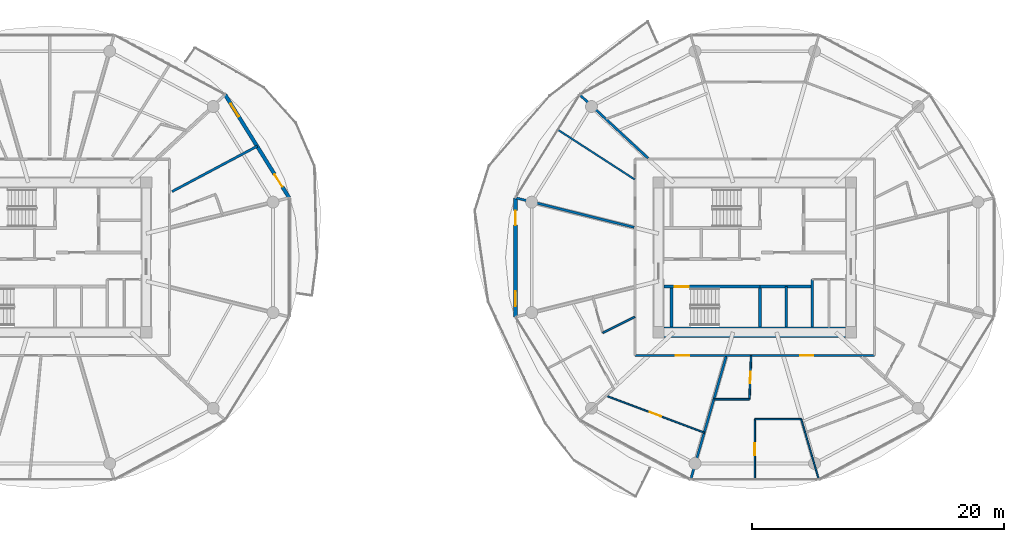
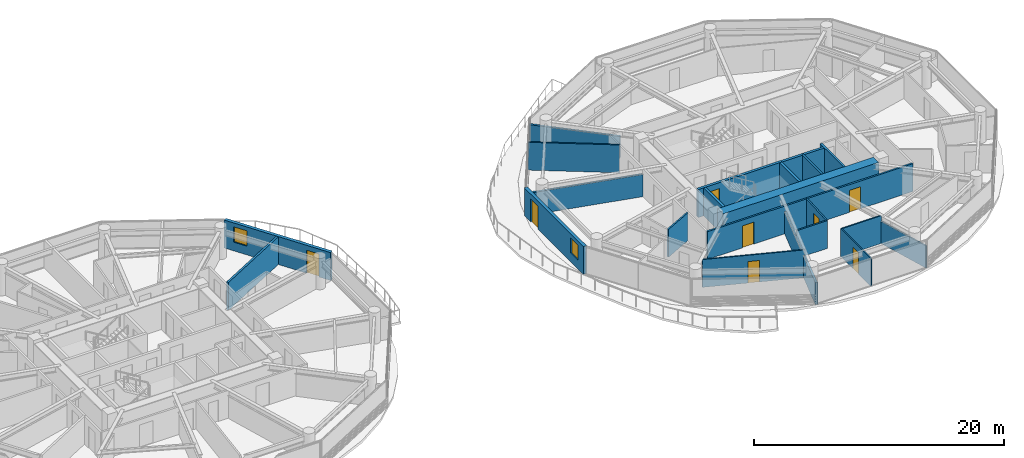
# One storey, part 18 of 26: 22 walls, 8 doors, 2 windows, 10 openings.
"""IFC4 building model written with IfcOpenShell, lengths in metres."""

from ifc_helpers import new_model, si_unit, direction, frame, frame_2d, origin, place, context, subcontext, project, spatial, rectangle, extrude, source, transform, mapped, material, layer, layer_set, type_object, type_shapes, element, fill, save


model = new_model("IFC4")

# Units and contexts
model_context = context("Model", 3, precision=1e-05, world=origin(), true_north=direction((0.0, 1.0)))
body_context = subcontext(model_context, "Body", "Model", "MODEL_VIEW")
ifc_project = project(units=[si_unit("LENGTHUNIT", "METRE"), si_unit("AREAUNIT", "SQUARE_METRE"), si_unit("VOLUMEUNIT", "CUBIC_METRE"), si_unit("PLANEANGLEUNIT", "RADIAN"), si_unit("MASSUNIT", "GRAM", prefix="KILO")], contexts=[model_context])

# Site, building, storey
site_placement = place(None, origin())
site = spatial("IfcSite", under=ifc_project, at=site_placement, CompositionType="ELEMENT")
building_placement = place(site_placement, origin())
building = spatial("IfcBuilding", under=site, at=building_placement, Name="Norrkilde Senior Care Towers", CompositionType="ELEMENT")
storey_placement = place(building_placement, frame((0.0, 0.0, 70.39990234375)))
storey = spatial("IfcBuildingStorey", under=building, at=storey_placement, Name="L21", CompositionType="ELEMENT", Elevation=70.39990234375)

# Wall
ifc_material_1 = material(Name="Concrete C60/75", Category="concrete")
ifc_layer_1 = layer(ifc_material_1, 0.85009765625)
ifc_layer_set_1 = layer_set([ifc_layer_1], Name="Concrete C60/75")
wall_type_1 = type_object("IfcWallType", Name="Core Shear Wall Z1 850", PredefinedType="SHEAR", material=ifc_layer_set_1)
shared_shape_1 = source(origin(), body_context, "Body", "SweptSolid", [
    extrude(rectangle(XDim=14.39990234375, YDim=0.85009765625, at=frame_2d((7.199951171875, 0.0))), origin(), (0.0, 0.0, 1.0), 2.72998046875),
])
type_shapes(wall_type_1, [shared_shape_1])
wall_1_placement = place(storey_placement, frame((35.199951171875, -5.949951171875, 0.0), z_axis=(0.0, 0.0, 1.0), x_axis=(-1.0, 0.0, 0.0)))
element("IfcWall", 1, at=wall_1_placement, inside=storey, type_object=wall_type_1, Name="L21 Core E South Shear Wall", PredefinedType="SHEAR", context=body_context, shape_type="MappedRepresentation", body=[
    mapped(shared_shape_1, transform((0.0, 0.0, 0.0), x_axis=(1.0, 0.0, 0.0), y_axis=(0.0, 1.0, 0.0), z_axis=(0.0, 0.0, 1.0), scale=1.0)),
])

# Wall, openings, door, window
ifc_material_2 = material(Name="Precast concrete C45/55", Category="concrete")
ifc_layer_2 = layer(ifc_material_2, 0.2900390625)
ifc_layer_set_2 = layer_set([ifc_layer_2], Name="Precast concrete C45/55")
wall_type_2 = type_object("IfcWallType", Name="Winter Garden Facade Wall 290", PredefinedType="SOLIDWALL", material=ifc_layer_set_2)
shared_shape_2 = source(origin(), body_context, "Body", "SweptSolid", [
    extrude(rectangle(XDim=9.64892578125, YDim=0.2900390625, at=frame_2d((4.824462890625, 0.0))), origin(), (0.0, 0.0, 1.0), 2.72998046875),
])
wall_2_placement = place(storey_placement, frame((-14.084228515625, 12.926025390625, 0.0), z_axis=(0.0, 0.0, 1.0), x_axis=(0.527909458386, -0.849300655684, 0.0)))
wall_2 = element("IfcWall", 2, at=wall_2_placement, inside=storey, type_object=wall_type_2, Name="L21 Drum W Balcony Access Wall 00", PredefinedType="SOLIDWALL", context=body_context, shape_type="MappedRepresentation", body=[
    mapped(shared_shape_2, transform((0.0, 0.0, 0.0), x_axis=(1.0, 0.0, 0.0), y_axis=(0.0, 1.0, 0.0), z_axis=(0.0, 0.0, 1.0), scale=1.0)),
])
opening_1_placement = place(wall_2_placement, frame((7.4599609375, 0.0, 0.0)))
opening_1 = element("IfcOpeningElement", 3, at=opening_1_placement, cuts=wall_2, Name="Opening D-09", PredefinedType="OPENING", context=body_context, shape_type="SweptSolid", body=[
    extrude(rectangle(XDim=1.14990234375, YDim=2.25, at=frame_2d((0.574951171875, 1.125))), frame((0.0, 0.155029296875, 0.0), z_axis=(0.0, -1.0, 0.0), x_axis=(1.0, 0.0, 0.0)), (0.0, 0.0, 1.0), 0.31005859375),
])
opening_2_placement = place(wall_2_placement, frame((0.85009765625, 0.0, 0.85009765625)))
opening_2 = element("IfcOpeningElement", 4, at=opening_2_placement, cuts=wall_2, Name="Opening WN-07", PredefinedType="OPENING", context=body_context, shape_type="SweptSolid", body=[
    extrude(rectangle(XDim=1.199951171875, YDim=1.5, at=frame_2d((0.60009765625, 0.75))), frame((0.0, 0.155029296875, 0.0), z_axis=(0.0, -1.0, 0.0), x_axis=(1.0, 0.0, 0.0)), (0.0, 0.0, 1.0), 0.31005859375),
])
ifc_material_3 = material(Name="Anodised Aluminium", Category="aluminium")
door_type_1 = type_object("IfcDoorType", Name="Terrace and Balcony Glazed Door 1150x2250", OperationType="NOTDEFINED", PredefinedType="DOOR", material=ifc_material_3)
shared_shape_3 = source(origin(), body_context, "Body", "SweptSolid", [
    extrude(rectangle(XDim=1.14990234375, YDim=2.25, at=frame_2d((0.574951171875, 1.125))), frame((0.0, 0.02490234375, 0.0), z_axis=(0.0, -1.0, 0.0), x_axis=(1.0, 0.0, 0.0)), (0.0, 0.0, 1.0), 0.050048828125),
])
type_shapes(door_type_1, [shared_shape_3])
door_1_placement = place(opening_1_placement, origin())
door_1 = element("IfcDoor", 5, at=door_1_placement, inside=storey, type_object=door_type_1, Name="L21 Drum W Outdoor Terrace Door 00", OperationType="SINGLE_SWING_LEFT", OverallHeight=2.25, OverallWidth=1.14990234375, PredefinedType="DOOR", context=body_context, shape_type="MappedRepresentation", body=[
    mapped(shared_shape_3, transform((0.0, 0.0, 0.0), x_axis=(1.0, 0.0, 0.0), y_axis=(0.0, 1.0, 0.0), z_axis=(0.0, 0.0, 1.0), scale=1.0)),
])
fill(opening_1, door_1)
ifc_material_4 = material(Name="Triple Low-E Insulated Glazing", Category="glass")
window_type = type_object("IfcWindowType", Name="Stairwell Smoke Vent Window 1200x1500", PartitioningType="SINGLE_PANEL", PredefinedType="WINDOW", material=ifc_material_4)
shared_shape_4 = source(origin(), body_context, "Body", "SweptSolid", [
    extrude(rectangle(XDim=1.199951171875, YDim=1.5, at=frame_2d((0.60009765625, 0.75))), frame((0.0, 0.030029296875, 0.0), z_axis=(0.0, -1.0, 0.0), x_axis=(1.0, 0.0, 0.0)), (0.0, 0.0, 1.0), 0.06005859375),
])
type_shapes(window_type, [shared_shape_4])
window_1_placement = place(opening_2_placement, origin())
window_1 = element("IfcWindow", 6, at=window_1_placement, inside=storey, type_object=window_type, Name="L21 Drum W Winter Garden Window 00", OverallHeight=1.5, OverallWidth=1.199951171875, PartitioningType="SINGLE_PANEL", PredefinedType="WINDOW", context=body_context, shape_type="MappedRepresentation", body=[
    mapped(shared_shape_4, transform((0.0, 0.0, 0.0), x_axis=(1.0, 0.0, 0.0), y_axis=(0.0, 1.0, 0.0), z_axis=(0.0, 0.0, 1.0), scale=1.0)),
])
fill(opening_2, window_1)

shared_shape_5 = source(origin(), body_context, "Body", "SweptSolid", [
    extrude(rectangle(XDim=9.46240234375, YDim=0.2900390625, at=frame_2d((4.731201171875, 0.0))), origin(), (0.0, 0.0, 1.0), 2.72998046875),
])
type_shapes(wall_type_2, [shared_shape_2, shared_shape_5])
wall_3_placement = place(storey_placement, frame((8.990478515625, -4.731201171875, 0.0), z_axis=(0.0, 0.0, 1.0), x_axis=(0.0, 1.0, 0.0)))
wall_3 = element("IfcWall", 7, at=wall_3_placement, inside=storey, type_object=wall_type_2, Name="L21 Drum E Balcony Access Wall 05", PredefinedType="SOLIDWALL", context=body_context, shape_type="MappedRepresentation", body=[
    mapped(shared_shape_5, transform((0.0, 0.0, 0.0), x_axis=(1.0, 0.0, 0.0), y_axis=(0.0, 1.0, 0.0), z_axis=(0.0, 0.0, 1.0), scale=1.0)),
])
opening_3_placement = place(wall_3_placement, frame((7.300048828125, 0.0, 0.0)))
opening_3 = element("IfcOpeningElement", 8, at=opening_3_placement, cuts=wall_3, Name="Opening D-09", PredefinedType="OPENING", context=body_context, shape_type="SweptSolid", body=[
    extrude(rectangle(XDim=1.14990234375, YDim=2.25, at=frame_2d((0.574951171875, 1.125))), frame((0.0, 0.155029296875, 0.0), z_axis=(0.0, -1.0, 0.0), x_axis=(1.0, 0.0, 0.0)), (0.0, 0.0, 1.0), 0.31005859375),
])
opening_4_placement = place(wall_3_placement, frame((0.85009765625, 0.0, 0.85009765625)))
opening_4 = element("IfcOpeningElement", 9, at=opening_4_placement, cuts=wall_3, Name="Opening WN-07", PredefinedType="OPENING", context=body_context, shape_type="SweptSolid", body=[
    extrude(rectangle(XDim=1.199951171875, YDim=1.5, at=frame_2d((0.60009765625, 0.75))), frame((0.0, 0.155029296875, 0.0), z_axis=(0.0, -1.0, 0.0), x_axis=(1.0, 0.0, 0.0)), (0.0, 0.0, 1.0), 0.31005859375),
])
door_2_placement = place(opening_3_placement, origin())
door_2 = element("IfcDoor", 10, at=door_2_placement, inside=storey, type_object=door_type_1, Name="L21 Drum E Outdoor Terrace Door 05", OperationType="SINGLE_SWING_RIGHT", OverallHeight=2.25, OverallWidth=1.14990234375, PredefinedType="DOOR", context=body_context, shape_type="MappedRepresentation", body=[
    mapped(shared_shape_3, transform((0.0, 0.0, 0.0), x_axis=(1.0, 0.0, 0.0), y_axis=(0.0, 1.0, 0.0), z_axis=(0.0, 0.0, 1.0), scale=1.0)),
])
fill(opening_3, door_2)
window_2_placement = place(opening_4_placement, origin())
window_2 = element("IfcWindow", 11, at=window_2_placement, inside=storey, type_object=window_type, Name="L21 Drum E Winter Garden Window 05", OverallHeight=1.5, OverallWidth=1.199951171875, PartitioningType="SINGLE_PANEL", PredefinedType="WINDOW", context=body_context, shape_type="MappedRepresentation", body=[
    mapped(shared_shape_4, transform((0.0, 0.0, 0.0), x_axis=(1.0, 0.0, 0.0), y_axis=(0.0, 1.0, 0.0), z_axis=(0.0, 0.0, 1.0), scale=1.0)),
])
fill(opening_4, window_2)

# Wall, opening, door
ifc_material_5 = material(Name="Concrete C45/55", Category="concrete")
ifc_layer_3 = layer(ifc_material_5, 0.239990234375)
ifc_layer_set_3 = layer_set([ifc_layer_3], Name="Concrete C45/55")
wall_type_3 = type_object("IfcWallType", Name="Shaft and Stair Enclosure Wall 240", PredefinedType="PARTITIONING", material=ifc_layer_set_3)
shared_shape_6 = source(origin(), body_context, "Body", "SweptSolid", [
    extrude(rectangle(XDim=7.76513671875, YDim=0.239990234375, at=frame_2d((3.882568359375, 0.0))), origin(), (0.0, 0.0, 1.0), 2.72998046875),
])
wall_4_placement = place(storey_placement, frame((20.77490234375, -2.330078125, 0.0), z_axis=(0.0, 0.0, 1.0), x_axis=(1.0, 0.0, 0.0)))
wall_4 = element("IfcWall", 12, at=wall_4_placement, inside=storey, type_object=wall_type_3, Name="WL-INT-L21-E-ST2N", PredefinedType="PARTITIONING", context=body_context, shape_type="MappedRepresentation", body=[
    mapped(shared_shape_6, transform((0.0, 0.0, 0.0), x_axis=(1.0, 0.0, 0.0), y_axis=(0.0, 1.0, 0.0), z_axis=(0.0, 0.0, 1.0), scale=1.0)),
])
opening_5_placement = place(wall_4_placement, frame((0.885009765625, 0.0, 0.0)))
opening_5 = element("IfcOpeningElement", 13, at=opening_5_placement, cuts=wall_4, Name="Opening D-03", PredefinedType="OPENING", context=body_context, shape_type="SweptSolid", body=[
    extrude(rectangle(XDim=1.10009765625, YDim=2.14990234375, at=frame_2d((0.550048828125, 1.074951171875))), frame((0.0, 0.1298828125, 0.0), z_axis=(0.0, -1.0, 0.0), x_axis=(1.0, 0.0, 0.0)), (0.0, 0.0, 1.0), 0.260009765625),
])
ifc_material_6 = material(Name="Galvanised Painted Steel", Category="steel")
door_type_2 = type_object("IfcDoorType", Name="Stairwell Protected Fire Door 1100x2150", OperationType="NOTDEFINED", PredefinedType="DOOR", material=ifc_material_6)
shared_shape_7 = source(origin(), body_context, "Body", "SweptSolid", [
    extrude(rectangle(XDim=1.10009765625, YDim=2.14990234375, at=frame_2d((0.550048828125, 1.074951171875))), frame((0.0, 0.02490234375, 0.0), z_axis=(0.0, -1.0, 0.0), x_axis=(1.0, 0.0, 0.0)), (0.0, 0.0, 1.0), 0.050048828125),
])
type_shapes(door_type_2, [shared_shape_7])
door_3_placement = place(opening_5_placement, frame((1.10009765625, 0.0, 0.0), z_axis=(0.0, 0.0, 1.0), x_axis=(-1.0, 0.0, 0.0)))
door_3 = element("IfcDoor", 14, at=door_3_placement, inside=storey, type_object=door_type_2, Name="L21 Stair E2 Fire Door", OperationType="SINGLE_SWING_RIGHT", OverallHeight=2.14990234375, OverallWidth=1.10009765625, PredefinedType="DOOR", context=body_context, shape_type="MappedRepresentation", body=[
    mapped(shared_shape_7, transform((0.0, 0.0, 0.0), x_axis=(1.0, 0.0, 0.0), y_axis=(0.0, 1.0, 0.0), z_axis=(0.0, 0.0, 1.0), scale=1.0)),
])
fill(opening_5, door_3)

# Walls
shared_shape_8 = source(origin(), body_context, "Body", "SweptSolid", [
    extrude(rectangle(XDim=3.074951171875, YDim=0.239990234375, at=frame_2d((1.53759765625, 0.0))), origin(), (0.0, 0.0, 1.0), 2.72998046875),
])
type_shapes(wall_type_3, [shared_shape_6, shared_shape_8])
for number, where, z_axis, x_axis, name in (
    (15, (21.3798828125, -5.52490234375, 0.0), (0.0, 0.0, 1.0), (0.0, 1.0, 0.0), "WL-INT-L21-E-ST2W"),
    (16, (28.419921875, -5.52490234375, 0.0), (0.0, 0.0, 1.0), (0.0, 1.0, 0.0), "WL-INT-L21-E-ST2E"),
):
    element("IfcWall", number, at=place(storey_placement, frame(where, z_axis=z_axis, x_axis=x_axis)), inside=storey, type_object=wall_type_3, Name=name, PredefinedType="PARTITIONING", context=body_context, shape_type="MappedRepresentation", body=[
        mapped(shared_shape_8, transform((0.0, 0.0, 0.0), x_axis=(1.0, 0.0, 0.0), y_axis=(0.0, 1.0, 0.0), z_axis=(0.0, 0.0, 1.0), scale=1.0)),
    ])
ifc_layer_4 = layer(ifc_material_5, 0.199951171875)
ifc_layer_set_4 = layer_set([ifc_layer_4], Name="Concrete C45/55")
wall_type_4 = type_object("IfcWallType", Name="Shaft Division and Plant Partition 200", PredefinedType="PARTITIONING", material=ifc_layer_set_4)
shared_shape_9 = source(origin(), body_context, "Body", "SweptSolid", [
    extrude(rectangle(XDim=3.800048828125, YDim=0.199951171875, at=frame_2d((1.89990234375, 0.0))), origin(), (0.0, 0.0, 1.0), 2.715087890625),
])
type_shapes(wall_type_4, [shared_shape_9])
wall_5_placement = place(storey_placement, frame((32.550048828125, -5.550048828125, 0.0), z_axis=(0.0, 0.0, 1.0), x_axis=(0.0, 1.0, 0.0)))
element("IfcWall", 17, at=wall_5_placement, inside=storey, type_object=wall_type_4, Name="WL-INT-L21-E-PKBE", PredefinedType="PARTITIONING", context=body_context, shape_type="MappedRepresentation", body=[
    mapped(shared_shape_9, transform((0.0, 0.0, 0.0), x_axis=(1.0, 0.0, 0.0), y_axis=(0.0, 1.0, 0.0), z_axis=(0.0, 0.0, 1.0), scale=1.0)),
])
ifc_layer_5 = layer(ifc_material_5, 0.239990234375)
ifc_layer_set_5 = layer_set([ifc_layer_5], Name="Concrete C45/55")
wall_type_5 = type_object("IfcWallType", Name="Lift and Plant Rated Enclosure Partition 240", PredefinedType="PARTITIONING", material=ifc_layer_set_5)
shared_shape_10 = source(origin(), body_context, "Body", "SweptSolid", [
    extrude(rectangle(XDim=4.130126953125, YDim=0.239990234375, at=frame_2d((2.06494140625, 0.0))), origin(), (0.0, 0.0, 1.0), 2.715087890625),
])
type_shapes(wall_type_5, [shared_shape_10])
wall_6_placement = place(storey_placement, frame((28.419921875, -2.330078125, 0.0), z_axis=(0.0, 0.0, 1.0), x_axis=(1.0, 0.0, 0.0)))
element("IfcWall", 18, at=wall_6_placement, inside=storey, type_object=wall_type_5, Name="WL-INT-L21-E-PKBN", PredefinedType="PARTITIONING", context=body_context, shape_type="MappedRepresentation", body=[
    mapped(shared_shape_10, transform((0.0, 0.0, 0.0), x_axis=(1.0, 0.0, 0.0), y_axis=(0.0, 1.0, 0.0), z_axis=(0.0, 0.0, 1.0), scale=1.0)),
])
ifc_layer_6 = layer(ifc_material_5, 0.179931640625)
ifc_layer_set_6 = layer_set([ifc_layer_6], Name="Concrete C45/55")
wall_type_6 = type_object("IfcWallType", Name="Hoistway Division Rated Partition 180", PredefinedType="PARTITIONING", material=ifc_layer_set_6)
shared_shape_11 = source(origin(), body_context, "Body", "SweptSolid", [
    extrude(rectangle(XDim=3.219970703125, YDim=0.179931640625, at=frame_2d((1.60986328125, 0.0))), origin(), (0.0, 0.0, 1.0), 2.715087890625),
])
type_shapes(wall_type_6, [shared_shape_11])
wall_7_placement = place(storey_placement, frame((30.5, -5.550048828125, 0.0), z_axis=(0.0, 0.0, 1.0), x_axis=(0.0, 1.0, 0.0)))
element("IfcWall", 19, at=wall_7_placement, inside=storey, type_object=wall_type_6, Name="WL-INT-L21-E-PL34", PredefinedType="PARTITIONING", context=body_context, shape_type="MappedRepresentation", body=[
    mapped(shared_shape_11, transform((0.0, 0.0, 0.0), x_axis=(1.0, 0.0, 0.0), y_axis=(0.0, 1.0, 0.0), z_axis=(0.0, 0.0, 1.0), scale=1.0)),
])

# Wall, openings, doors
ifc_material_7 = material(Name="Gypsum Acoustic Board")
ifc_layer_7 = layer(ifc_material_7, 0.1650390625)
ifc_layer_set_7 = layer_set([ifc_layer_7], Name="Gypsum Acoustic Board")
wall_type_7 = type_object("IfcWallType", Name="Corridor Rated Partition 165", PredefinedType="PARTITIONING", material=ifc_layer_set_7)
shared_shape_12 = source(origin(), body_context, "Body", "SweptSolid", [
    extrude(rectangle(XDim=19.0, YDim=0.1650390625, at=frame_2d((9.5, 0.0))), origin(), (0.0, 0.0, 1.0), 2.715087890625),
])
type_shapes(wall_type_7, [shared_shape_12])
wall_8_placement = place(storey_placement, frame((37.5, -7.800048828125, 0.0), z_axis=(0.0, 0.0, 1.0), x_axis=(-1.0, 0.0, 0.0)))
wall_8 = element("IfcWall", 20, at=wall_8_placement, inside=storey, type_object=wall_type_7, Name="WL-INT-L21-E-CRW-S-0", PredefinedType="PARTITIONING", context=body_context, shape_type="MappedRepresentation", body=[
    mapped(shared_shape_12, transform((0.0, 0.0, 0.0), x_axis=(1.0, 0.0, 0.0), y_axis=(0.0, 1.0, 0.0), z_axis=(0.0, 0.0, 1.0), scale=1.0)),
])
opening_6_placement = place(wall_8_placement, frame((14.7197265625, 0.0, 0.0)))
opening_6 = element("IfcOpeningElement", 21, at=opening_6_placement, cuts=wall_8, Name="Opening D-06", PredefinedType="OPENING", context=body_context, shape_type="SweptSolid", body=[
    extrude(rectangle(XDim=1.050048828125, YDim=2.14990234375, at=frame_2d((0.52490234375, 1.074951171875))), frame((0.0, 0.092529296875, 0.0), z_axis=(0.0, -1.0, 0.0), x_axis=(1.0, 0.0, 0.0)), (0.0, 0.0, 1.0), 0.18505859375),
])
opening_7_placement = place(wall_8_placement, frame((4.8466796875, 0.0, 0.0)))
opening_7 = element("IfcOpeningElement", 22, at=opening_7_placement, cuts=wall_8, Name="Opening D-06", PredefinedType="OPENING", context=body_context, shape_type="SweptSolid", body=[
    extrude(rectangle(XDim=1.050048828125, YDim=2.14990234375, at=frame_2d((0.52490234375, 1.074951171875))), frame((0.0, 0.092529296875, 0.0), z_axis=(0.0, -1.0, 0.0), x_axis=(1.0, 0.0, 0.0)), (0.0, 0.0, 1.0), 0.18505859375),
])
ifc_material_8 = material(Name="Nordic Ash Timber", Category="wood")
door_type_3 = type_object("IfcDoorType", Name="Apartment Entrance Fire Door 1050x2150", OperationType="NOTDEFINED", PredefinedType="DOOR", material=ifc_material_8)
shared_shape_13 = source(origin(), body_context, "Body", "SweptSolid", [
    extrude(rectangle(XDim=1.050048828125, YDim=2.14990234375, at=frame_2d((0.52490234375, 1.074951171875))), frame((0.0, 0.02490234375, 0.0), z_axis=(0.0, -1.0, 0.0), x_axis=(1.0, 0.0, 0.0)), (0.0, 0.0, 1.0), 0.050048828125),
])
type_shapes(door_type_3, [shared_shape_13])
door_4_placement = place(opening_6_placement, frame((1.050048828125, 0.0, 0.0), z_axis=(0.0, 0.0, 1.0), x_axis=(-1.0, 0.0, 0.0)))
door_4 = element("IfcDoor", 23, at=door_4_placement, inside=storey, type_object=door_type_3, Name="Apartment 21A Entrance Door", OperationType="SINGLE_SWING_LEFT", OverallHeight=2.14990234375, OverallWidth=1.050048828125, PredefinedType="DOOR", context=body_context, shape_type="MappedRepresentation", body=[
    mapped(shared_shape_13, transform((0.0, 0.0, 0.0), x_axis=(1.0, 0.0, 0.0), y_axis=(0.0, 1.0, 0.0), z_axis=(0.0, 0.0, 1.0), scale=1.0)),
])
fill(opening_6, door_4)
door_5_placement = place(opening_7_placement, frame((1.050048828125, 0.0, 0.0), z_axis=(0.0, 0.0, 1.0), x_axis=(-1.0, 0.0, 0.0)))
door_5 = element("IfcDoor", 24, at=door_5_placement, inside=storey, type_object=door_type_3, Name="Apartment 21B Entrance Door", OperationType="SINGLE_SWING_LEFT", OverallHeight=2.14990234375, OverallWidth=1.050048828125, PredefinedType="DOOR", context=body_context, shape_type="MappedRepresentation", body=[
    mapped(shared_shape_13, transform((0.0, 0.0, 0.0), x_axis=(1.0, 0.0, 0.0), y_axis=(0.0, 1.0, 0.0), z_axis=(0.0, 0.0, 1.0), scale=1.0)),
])
fill(opening_7, door_5)

# Walls
ifc_layer_8 = layer(ifc_material_7, 0.18994140625)
ifc_layer_set_8 = layer_set([ifc_layer_8], Name="Gypsum Acoustic Board")
wall_type_8 = type_object("IfcWallType", Name="Unit Demising Acoustic Wall 190", PredefinedType="PARTITIONING", material=ifc_layer_set_8)
shared_shape_14 = source(origin(), body_context, "Body", "SweptSolid", [
    extrude(rectangle(XDim=9.737060546875, YDim=0.18994140625, at=frame_2d((4.86865234375, 0.0))), origin(), (0.0, 0.0, 1.0), 2.1650390625),
])
wall_9_placement = place(storey_placement, frame((18.419921875, 2.384521484375, 0.0), z_axis=(0.0, 0.0, 1.0), x_axis=(-0.970392716238, 0.241532557375, 0.0)))
element("IfcWall", 25, at=wall_9_placement, inside=storey, type_object=wall_type_8, Name="WL-INT-L21-E-DEM-05-0", PredefinedType="PARTITIONING", context=body_context, shape_type="MappedRepresentation", body=[
    mapped(shared_shape_14, transform((0.0, 0.0, 0.0), x_axis=(1.0, 0.0, 0.0), y_axis=(0.0, 1.0, 0.0), z_axis=(0.0, 0.0, 1.0), scale=1.0)),
])
shared_shape_15 = source(origin(), body_context, "Body", "SweptSolid", [
    extrude(rectangle(XDim=7.4345703125, YDim=0.18994140625, at=frame_2d((3.71728515625, 0.0))), origin(), (0.0, 0.0, 1.0), 2.1650390625),
])
wall_10_placement = place(storey_placement, frame((19.51708984375, 7.8798828125, 0.0), z_axis=(0.0, 0.0, 1.0), x_axis=(-0.732651956848, 0.680603489652, 0.0)))
element("IfcWall", 26, at=wall_10_placement, inside=storey, type_object=wall_type_8, Name="WL-INT-L21-E-DEM-04-0", PredefinedType="PARTITIONING", context=body_context, shape_type="MappedRepresentation", body=[
    mapped(shared_shape_15, transform((0.0, 0.0, 0.0), x_axis=(1.0, 0.0, 0.0), y_axis=(0.0, 1.0, 0.0), z_axis=(0.0, 0.0, 1.0), scale=1.0)),
])
shared_shape_16 = source(origin(), body_context, "Body", "SweptSolid", [
    extrude(rectangle(XDim=10.196044921875, YDim=0.18994140625, at=frame_2d((5.09814453125, 0.0))), origin(), (0.0, 0.0, 1.0), 2.1650390625),
])
wall_11_placement = place(storey_placement, frame((25.72705078125, -7.8798828125, 0.0), z_axis=(0.0, 0.0, 1.0), x_axis=(-0.277136420347, -0.960830580549, 0.0)))
element("IfcWall", 27, at=wall_11_placement, inside=storey, type_object=wall_type_8, Name="WL-INT-L21-E-DEM-08-0", PredefinedType="PARTITIONING", context=body_context, shape_type="MappedRepresentation", body=[
    mapped(shared_shape_16, transform((0.0, 0.0, 0.0), x_axis=(1.0, 0.0, 0.0), y_axis=(0.0, 1.0, 0.0), z_axis=(0.0, 0.0, 1.0), scale=1.0)),
])
shared_shape_17 = source(origin(), body_context, "Body", "SweptSolid", [
    extrude(rectangle(XDim=7.6767578125, YDim=0.18994140625, at=frame_2d((3.83837890625, 0.0))), origin(), (0.0, 0.0, 1.0), 2.715087890625),
])
type_shapes(wall_type_8, [shared_shape_14, shared_shape_15, shared_shape_16, shared_shape_17])
wall_12_placement = place(storey_placement, frame((-18.296875, 5.23095703125, 0.0), z_axis=(0.0, 0.0, 1.0), x_axis=(0.882725057546, 0.469889851753, 0.0)))
element("IfcWall", 28, at=wall_12_placement, inside=storey, type_object=wall_type_8, Name="WL-INT-L21-W-CMID-00", PredefinedType="PARTITIONING", context=body_context, shape_type="MappedRepresentation", body=[
    mapped(shared_shape_17, transform((0.0, 0.0, 0.0), x_axis=(1.0, 0.0, 0.0), y_axis=(0.0, 1.0, 0.0), z_axis=(0.0, 0.0, 1.0), scale=1.0)),
])

# Wall, opening, door
ifc_layer_9 = layer(ifc_material_7, 0.114990234375)
ifc_layer_set_9 = layer_set([ifc_layer_9], Name="Gypsum Acoustic Board")
wall_type_9 = type_object("IfcWallType", Name="Internal Room Partition 115", PredefinedType="PARTITIONING", material=ifc_layer_set_9)
shared_shape_18 = source(origin(), body_context, "Body", "SweptSolid", [
    extrude(rectangle(XDim=8.31982421875, YDim=0.114990234375, at=frame_2d((4.159912109375, 0.0))), origin(), (0.0, 0.0, 1.0), 2.715087890625),
])
wall_13_placement = place(storey_placement, frame((16.2138671875, -11.005615234375, 0.0), z_axis=(0.0, 0.0, 1.0), x_axis=(0.936180763098, -0.351518959382, 0.0)))
wall_13 = element("IfcWall", 29, at=wall_13_placement, inside=storey, type_object=wall_type_9, Name="WL-INT-L21-E-UBC-06-1", PredefinedType="PARTITIONING", context=body_context, shape_type="MappedRepresentation", body=[
    mapped(shared_shape_18, transform((0.0, 0.0, 0.0), x_axis=(1.0, 0.0, 0.0), y_axis=(0.0, 1.0, 0.0), z_axis=(0.0, 0.0, 1.0), scale=1.0)),
])
opening_8_placement = place(wall_13_placement, frame((3.684814453125, 0.0, 0.0)))
opening_8 = element("IfcOpeningElement", 30, at=opening_8_placement, cuts=wall_13, Name="Opening D-07", PredefinedType="OPENING", context=body_context, shape_type="SweptSolid", body=[
    extrude(rectangle(XDim=0.949951171875, YDim=2.10009765625, at=frame_2d((0.47509765625, 1.050048828125))), frame((0.0, 0.0673828125, 0.0), z_axis=(0.0, -1.0, 0.0), x_axis=(1.0, 0.0, 0.0)), (0.0, 0.0, 1.0), 0.135009765625),
])
door_type_4 = type_object("IfcDoorType", Name="Internal Suite Bedroom Door 950x2100", OperationType="NOTDEFINED", PredefinedType="DOOR", material=ifc_material_8)
shared_shape_19 = source(origin(), body_context, "Body", "SweptSolid", [
    extrude(rectangle(XDim=0.949951171875, YDim=2.10009765625, at=frame_2d((0.47509765625, 1.050048828125))), frame((0.0, 0.02490234375, 0.0), z_axis=(0.0, -1.0, 0.0), x_axis=(1.0, 0.0, 0.0)), (0.0, 0.0, 1.0), 0.050048828125),
])
type_shapes(door_type_4, [shared_shape_19])
door_6_placement = place(opening_8_placement, origin())
door_6 = element("IfcDoor", 31, at=door_6_placement, inside=storey, type_object=door_type_4, Name="Apartment 21A Bedroom 1 Door", OperationType="SINGLE_SWING_RIGHT", OverallHeight=2.10009765625, OverallWidth=0.949951171875, PredefinedType="DOOR", context=body_context, shape_type="MappedRepresentation", body=[
    mapped(shared_shape_19, transform((0.0, 0.0, 0.0), x_axis=(1.0, 0.0, 0.0), y_axis=(0.0, 1.0, 0.0), z_axis=(0.0, 0.0, 1.0), scale=1.0)),
])
fill(opening_8, door_6)

# Walls
ifc_layer_10 = layer(ifc_material_7, 0.139892578125)
ifc_layer_set_10 = layer_set([ifc_layer_10], Name="Gypsum Acoustic Board")
wall_type_10 = type_object("IfcWallType", Name="En-suite Wet Room Wall 140", PredefinedType="PARTITIONING", material=ifc_layer_set_10)
shared_shape_20 = source(origin(), body_context, "Body", "SweptSolid", [
    extrude(rectangle(XDim=2.83447265625, YDim=0.139892578125, at=frame_2d((1.417236328125, 0.0))), origin(), (0.0, 0.0, 1.0), 2.715087890625),
])
wall_14_placement = place(storey_placement, frame((18.469970703125, -4.731689453125, 0.0), z_axis=(0.0, 0.0, 1.0), x_axis=(-0.895681174462, -0.444696788513, 0.0)))
element("IfcWall", 32, at=wall_14_placement, inside=storey, type_object=wall_type_10, Name="WL-INT-L21-E-UBTS-06", PredefinedType="PARTITIONING", context=body_context, shape_type="MappedRepresentation", body=[
    mapped(shared_shape_20, transform((0.0, 0.0, 0.0), x_axis=(1.0, 0.0, 0.0), y_axis=(0.0, 1.0, 0.0), z_axis=(0.0, 0.0, 1.0), scale=1.0)),
])
shared_shape_21 = source(origin(), body_context, "Body", "SweptSolid", [
    extrude(rectangle(XDim=5.030517578125, YDim=0.114990234375, at=frame_2d((2.51513671875, 0.0))), origin(), (0.0, 0.0, 1.0), 2.1650390625),
])
wall_15_placement = place(storey_placement, frame((31.686767578125, -12.84814453125, 0.0), z_axis=(0.0, 0.0, 1.0), x_axis=(0.280657788738, -0.959807900374, 0.0)))
element("IfcWall", 33, at=wall_15_placement, inside=storey, type_object=wall_type_9, Name="WL-INT-L21-E-UBR-08-1", PredefinedType="PARTITIONING", context=body_context, shape_type="MappedRepresentation", body=[
    mapped(shared_shape_21, transform((0.0, 0.0, 0.0), x_axis=(1.0, 0.0, 0.0), y_axis=(0.0, 1.0, 0.0), z_axis=(0.0, 0.0, 1.0), scale=1.0)),
])

# Wall, opening, door
shared_shape_22 = source(origin(), body_context, "Body", "SweptSolid", [
    extrude(rectangle(XDim=3.44580078125, YDim=0.139892578125, at=frame_2d((1.722900390625, 0.0))), origin(), (0.0, 0.0, 1.0), 2.715087890625),
])
wall_16_placement = place(storey_placement, frame((27.707275390625, -7.830078125, 0.0), z_axis=(0.0, 0.0, 1.0), x_axis=(-0.037409983043, -0.999300001585, 0.0)))
wall_16 = element("IfcWall", 34, at=wall_16_placement, inside=storey, type_object=wall_type_10, Name="WL-INT-L21-E-UBTS-08", PredefinedType="PARTITIONING", context=body_context, shape_type="MappedRepresentation", body=[
    mapped(shared_shape_22, transform((0.0, 0.0, 0.0), x_axis=(1.0, 0.0, 0.0), y_axis=(0.0, 1.0, 0.0), z_axis=(0.0, 0.0, 1.0), scale=1.0)),
])
opening_9_placement = place(wall_16_placement, frame((1.262939453125, 0.0, 0.0)))
opening_9 = element("IfcOpeningElement", 35, at=opening_9_placement, cuts=wall_16, Name="Opening D-08", PredefinedType="OPENING", context=body_context, shape_type="SweptSolid", body=[
    extrude(rectangle(XDim=0.919921875, YDim=2.10009765625, at=frame_2d((0.4599609375, 1.050048828125))), frame((0.0, 0.079833984375, 0.0), z_axis=(0.0, -1.0, 0.0), x_axis=(1.0, 0.0, 0.0)), (0.0, 0.0, 1.0), 0.159912109375),
])
door_type_5 = type_object("IfcDoorType", Name="Accessible Wet Room Door 920x2100", OperationType="NOTDEFINED", PredefinedType="DOOR", material=ifc_material_8)
shared_shape_23 = source(origin(), body_context, "Body", "SweptSolid", [
    extrude(rectangle(XDim=0.919921875, YDim=2.10009765625, at=frame_2d((0.4599609375, 1.050048828125))), frame((0.0, 0.02490234375, 0.0), z_axis=(0.0, -1.0, 0.0), x_axis=(1.0, 0.0, 0.0)), (0.0, 0.0, 1.0), 0.050048828125),
])
type_shapes(door_type_5, [shared_shape_23])
door_7_placement = place(opening_9_placement, origin())
door_7 = element("IfcDoor", 36, at=door_7_placement, inside=storey, type_object=door_type_5, Name="Apartment 21B Bathroom Door", OperationType="SINGLE_SWING_RIGHT", OverallHeight=2.10009765625, OverallWidth=0.919921875, PredefinedType="DOOR", context=body_context, shape_type="MappedRepresentation", body=[
    mapped(shared_shape_23, transform((0.0, 0.0, 0.0), x_axis=(1.0, 0.0, 0.0), y_axis=(0.0, 1.0, 0.0), z_axis=(0.0, 0.0, 1.0), scale=1.0)),
])
fill(opening_9, door_7)

# Wall
shared_shape_24 = source(origin(), body_context, "Body", "SweptSolid", [
    extrude(rectangle(XDim=2.812744140625, YDim=0.139892578125, at=frame_2d((1.40625, 0.0))), origin(), (0.0, 0.0, 1.0), 2.715087890625),
])
wall_17_placement = place(storey_placement, frame((27.578369140625, -11.2734375, 0.0), z_axis=(0.0, 0.0, 1.0), x_axis=(-0.99999981542, 0.000607586035, 0.0)))
element("IfcWall", 37, at=wall_17_placement, inside=storey, type_object=wall_type_10, Name="WL-INT-L21-E-UBTF-08", PredefinedType="PARTITIONING", context=body_context, shape_type="MappedRepresentation", body=[
    mapped(shared_shape_24, transform((0.0, 0.0, 0.0), x_axis=(1.0, 0.0, 0.0), y_axis=(0.0, 1.0, 0.0), z_axis=(0.0, 0.0, 1.0), scale=1.0)),
])

# Wall, opening, door
shared_shape_25 = source(origin(), body_context, "Body", "SweptSolid", [
    extrude(rectangle(XDim=4.828857421875, YDim=0.114990234375, at=frame_2d((2.41455078125, 0.0))), origin(), (0.0, 0.0, 1.0), 2.715087890625),
])
wall_18_placement = place(storey_placement, frame((28.0, -12.84765625, 0.0), z_axis=(0.0, 0.0, 1.0), x_axis=(0.0, -1.0, 0.0)))
wall_18 = element("IfcWall", 38, at=wall_18_placement, inside=storey, type_object=wall_type_9, Name="WL-INT-L21-E-UKTS-08", PredefinedType="PARTITIONING", context=body_context, shape_type="MappedRepresentation", body=[
    mapped(shared_shape_25, transform((0.0, 0.0, 0.0), x_axis=(1.0, 0.0, 0.0), y_axis=(0.0, 1.0, 0.0), z_axis=(0.0, 0.0, 1.0), scale=1.0)),
])
opening_10_placement = place(wall_18_placement, frame((1.939453125, 0.0, 0.0)))
opening_10 = element("IfcOpeningElement", 39, at=opening_10_placement, cuts=wall_18, Name="Opening D-07", PredefinedType="OPENING", context=body_context, shape_type="SweptSolid", body=[
    extrude(rectangle(XDim=0.949951171875, YDim=2.10009765625, at=frame_2d((0.47509765625, 1.050048828125))), frame((0.0, 0.0673828125, 0.0), z_axis=(0.0, -1.0, 0.0), x_axis=(1.0, 0.0, 0.0)), (0.0, 0.0, 1.0), 0.135009765625),
])
door_8_placement = place(opening_10_placement, frame((0.949951171875, 0.0, 0.0), z_axis=(0.0, 0.0, 1.0), x_axis=(-1.0, 0.0, 0.0)))
door_8 = element("IfcDoor", 40, at=door_8_placement, inside=storey, type_object=door_type_4, Name="Apartment 21B Kitchen Door", OperationType="SINGLE_SWING_LEFT", OverallHeight=2.10009765625, OverallWidth=0.949951171875, PredefinedType="DOOR", context=body_context, shape_type="MappedRepresentation", body=[
    mapped(shared_shape_19, transform((0.0, 0.0, 0.0), x_axis=(1.0, 0.0, 0.0), y_axis=(0.0, 1.0, 0.0), z_axis=(0.0, 0.0, 1.0), scale=1.0)),
])
fill(opening_10, door_8)

# Walls
shared_shape_26 = source(origin(), body_context, "Body", "SweptSolid", [
    extrude(rectangle(XDim=3.68603515625, YDim=0.114990234375, at=frame_2d((1.843017578125, 0.0))), origin(), (0.0, 0.0, 1.0), 2.715087890625),
])
type_shapes(wall_type_9, [shared_shape_18, shared_shape_21, shared_shape_25, shared_shape_26])
wall_19_placement = place(storey_placement, frame((28.0, -12.84765625, 0.0), z_axis=(0.0, 0.0, 1.0), x_axis=(0.999999780653, 0.000662339237, 0.0)))
element("IfcWall", 41, at=wall_19_placement, inside=storey, type_object=wall_type_9, Name="WL-INT-L21-E-UKTF-08", PredefinedType="PARTITIONING", context=body_context, shape_type="MappedRepresentation", body=[
    mapped(shared_shape_26, transform((0.0, 0.0, 0.0), x_axis=(1.0, 0.0, 0.0), y_axis=(0.0, 1.0, 0.0), z_axis=(0.0, 0.0, 1.0), scale=1.0)),
])
shared_shape_27 = source(origin(), body_context, "Body", "SweptSolid", [
    extrude(rectangle(XDim=7.30419921875, YDim=0.139892578125, at=frame_2d((3.652099609375, 0.0))), origin(), (0.0, 0.0, 1.0), 2.715087890625),
])
type_shapes(wall_type_10, [shared_shape_20, shared_shape_22, shared_shape_24, shared_shape_27])
wall_20_placement = place(storey_placement, frame((18.469970703125, 6.184814453125, 0.0), z_axis=(0.0, 0.0, 1.0), x_axis=(-0.83973870965, 0.54299069929, 0.0)))
element("IfcWall", 42, at=wall_20_placement, inside=storey, type_object=wall_type_10, Name="WL-INT-L21-E-MID-04", PredefinedType="PARTITIONING", context=body_context, shape_type="MappedRepresentation", body=[
    mapped(shared_shape_27, transform((0.0, 0.0, 0.0), x_axis=(1.0, 0.0, 0.0), y_axis=(0.0, 1.0, 0.0), z_axis=(0.0, 0.0, 1.0), scale=1.0)),
])

save(model, "model.ifc")
